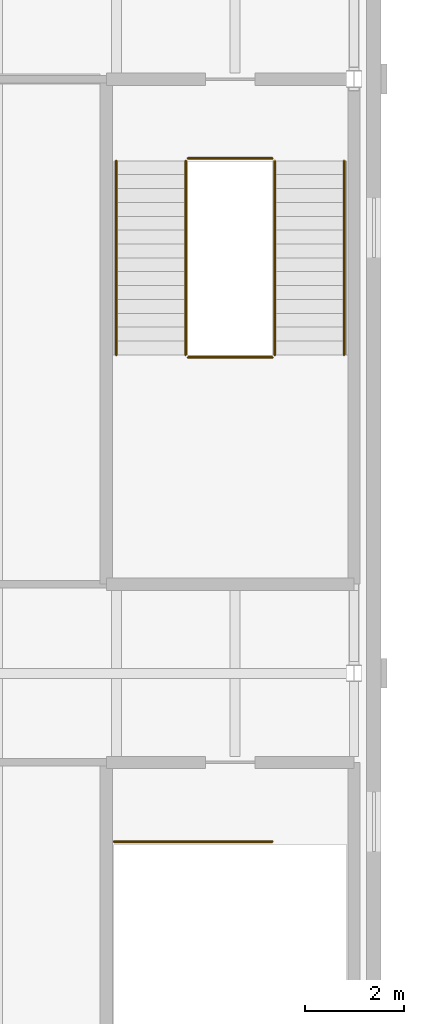
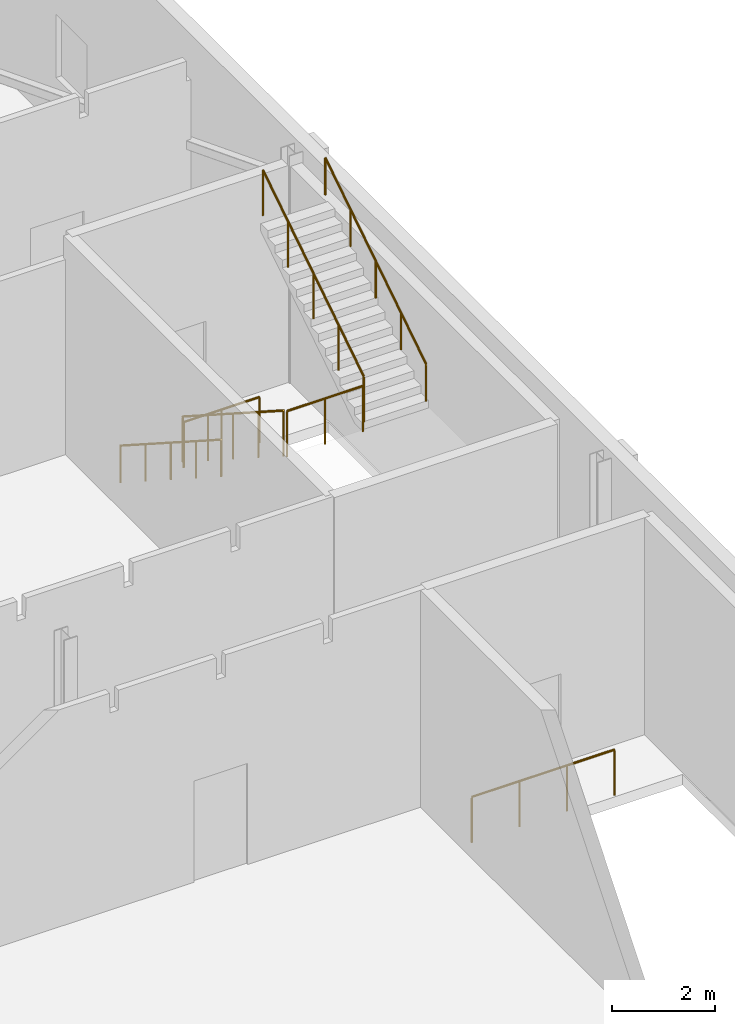
# One storey, part 320 of 321: 7 railings.
"""IFC4 building model written with IfcOpenShell, lengths in metres."""

from ifc_helpers import new_model, si_unit, direction, frame, origin, origin_2d, place, context, subcontext, project, spatial, circle, extrude, material, type_object, element, save


model = new_model("IFC4")

# Units and contexts
model_context = context("Model", 3, precision=1e-05, world=origin(), true_north=direction((0.0, 1.0)))
body_context = subcontext(model_context, "Body", "Model", "MODEL_VIEW")
ifc_project = project(units=[si_unit("LENGTHUNIT", "METRE"), si_unit("AREAUNIT", "SQUARE_METRE"), si_unit("VOLUMEUNIT", "CUBIC_METRE"), si_unit("PLANEANGLEUNIT", "RADIAN"), si_unit("MASSUNIT", "GRAM", prefix="KILO")], contexts=[model_context])

# Site, building, storey
site_placement = place(None, origin())
site = spatial("IfcSite", under=ifc_project, at=site_placement, CompositionType="ELEMENT")
building_placement = place(site_placement, origin())
building = spatial("IfcBuilding", under=site, at=building_placement, Name="Ravi Spectrum Wholesale Market", CompositionType="ELEMENT")
storey_placement = place(building_placement, frame((0.0, 0.0, 10.800048828125)))
storey = spatial("IfcBuildingStorey", under=building, at=storey_placement, Name="L02", CompositionType="ELEMENT", Elevation=10.800048828125)

# Railings
ifc_material_1 = material(Name="Steel S355", Category="steel")
railing_type_1 = type_object("IfcRailingType", Name="Guard 1100", PredefinedType="GUARDRAIL", material=ifc_material_1)
railing_1_placement = place(storey_placement, frame((278.60009765625, 40.35009765625, 0.179931640625)))
element("IfcRailing", 1, at=railing_1_placement, inside=storey, type_object=railing_type_1, Name="L02 S-CS-2 stair guard 1", PredefinedType="GUARDRAIL", context=body_context, shape_type="SweptSolid", body=[
    extrude(circle(Radius=0.02392578125, at=origin_2d()), frame((0.0, 0.0, 1.076171875), z_axis=(0.0, -0.841186985886, 0.540744352514), x_axis=(1.0, 0.0, 0.0)), (0.0, 0.0, 1.0), 4.660400390625),
    extrude(circle(Radius=0.02099609375, at=origin_2d()), origin(), (0.0, 0.0, 1.0), 1.052001953125),
    extrude(circle(Radius=0.02099609375, at=origin_2d()), frame((0.0, -0.97998046875, 0.6298828125)), (0.0, 0.0, 1.0), 1.052001953125),
    extrude(circle(Radius=0.02099609375, at=origin_2d()), frame((0.0, -1.9599609375, 1.260009765625)), (0.0, 0.0, 1.0), 1.052001953125),
    extrude(circle(Radius=0.02099609375, at=origin_2d()), frame((0.0, -2.940185546875, 1.89013671875)), (0.0, 0.0, 1.0), 1.052001953125),
    extrude(circle(Radius=0.02099609375, at=origin_2d()), frame((0.0, -3.920166015625, 2.52001953125)), (0.0, 0.0, 1.0), 1.052001953125),
])
railing_2_placement = place(storey_placement, frame((278.64990234375, 36.3798828125, 2.699951171875)))
element("IfcRailing", 2, at=railing_2_placement, inside=storey, type_object=railing_type_1, Name="L02 S-CS-2 stair guard 2", PredefinedType="GUARDRAIL", context=body_context, shape_type="SweptSolid", body=[
    extrude(circle(Radius=0.02392578125, at=origin_2d()), frame((0.0, 0.0, 1.076171875), z_axis=(1.0, 0.0, 0.0), x_axis=(0.0, 1.0, 0.0)), (0.0, 0.0, 1.0), 1.7001953125),
    extrude(circle(Radius=0.02099609375, at=origin_2d()), origin(), (0.0, 0.0, 1.0), 1.052001953125),
    extrude(circle(Radius=0.02099609375, at=origin_2d()), frame((0.85009765625, 0.0, 0.0)), (0.0, 0.0, 1.0), 1.052001953125),
    extrude(circle(Radius=0.02099609375, at=origin_2d()), frame((1.7001953125, 0.0, 0.0)), (0.0, 0.0, 1.0), 1.052001953125),
])
railing_3_placement = place(storey_placement, frame((280.39990234375, 36.429931640625, 2.8798828125)))
element("IfcRailing", 3, at=railing_3_placement, inside=storey, type_object=railing_type_1, Name="L02 S-CS-2 stair guard 3", PredefinedType="GUARDRAIL", context=body_context, shape_type="SweptSolid", body=[
    extrude(circle(Radius=0.02392578125, at=origin_2d()), frame((0.0, 0.0, 1.076171875), z_axis=(0.0, 0.841186985886, 0.540744352514), x_axis=(-1.0, 0.0, 0.0)), (0.0, 0.0, 1.0), 4.660400390625),
    extrude(circle(Radius=0.02099609375, at=origin_2d()), origin(), (0.0, 0.0, 1.0), 1.052001953125),
    extrude(circle(Radius=0.02099609375, at=origin_2d()), frame((0.0, 0.97998046875, 0.6298828125)), (0.0, 0.0, 1.0), 1.052001953125),
    extrude(circle(Radius=0.02099609375, at=origin_2d()), frame((0.0, 1.9599609375, 1.260009765625)), (0.0, 0.0, 1.0), 1.052001953125),
    extrude(circle(Radius=0.02099609375, at=origin_2d()), frame((0.0, 2.940185546875, 1.89013671875)), (0.0, 0.0, 1.0), 1.052001953125),
    extrude(circle(Radius=0.02099609375, at=origin_2d()), frame((0.0, 3.920166015625, 2.52001953125)), (0.0, 0.0, 1.0), 1.052001953125),
])
railing_4_placement = place(storey_placement, frame((278.64990234375, 40.39990234375, 0.0)))
element("IfcRailing", 4, at=railing_4_placement, inside=storey, type_object=railing_type_1, Name="L02 S-CS-2 stair guard 4", PredefinedType="GUARDRAIL", context=body_context, shape_type="SweptSolid", body=[
    extrude(circle(Radius=0.02392578125, at=origin_2d()), frame((0.0, 0.0, 1.076171875), z_axis=(1.0, 0.0, 0.0), x_axis=(0.0, 1.0, 0.0)), (0.0, 0.0, 1.0), 1.7001953125),
    extrude(circle(Radius=0.02099609375, at=origin_2d()), origin(), (0.0, 0.0, 1.0), 1.052001953125),
    extrude(circle(Radius=0.02099609375, at=origin_2d()), frame((0.85009765625, 0.0, 0.0)), (0.0, 0.0, 1.0), 1.052001953125),
    extrude(circle(Radius=0.02099609375, at=origin_2d()), frame((1.7001953125, 0.0, 0.0)), (0.0, 0.0, 1.0), 1.052001953125),
])
railing_5_placement = place(storey_placement, frame((277.14990234375, 26.60009765625, 0.0)))
element("IfcRailing", 5, at=railing_5_placement, inside=storey, type_object=railing_type_1, Name="L02 S-CS-7 top well guard 1", PredefinedType="GUARDRAIL", context=body_context, shape_type="SweptSolid", body=[
    extrude(circle(Radius=0.02392578125, at=origin_2d()), frame((0.0, 0.0, 1.076171875), z_axis=(1.0, 0.0, 0.0), x_axis=(0.0, 1.0, 0.0)), (0.0, 0.0, 1.0), 3.2001953125),
    extrude(circle(Radius=0.02099609375, at=origin_2d()), origin(), (0.0, 0.0, 1.0), 1.052001953125),
    extrude(circle(Radius=0.02099609375, at=origin_2d()), frame((1.066650390625, 0.0, 0.0)), (0.0, 0.0, 1.0), 1.052001953125),
    extrude(circle(Radius=0.02099609375, at=origin_2d()), frame((2.133544921875, 0.0, 0.0)), (0.0, 0.0, 1.0), 1.052001953125),
    extrude(circle(Radius=0.02099609375, at=origin_2d()), frame((3.2001953125, 0.0, 0.0)), (0.0, 0.0, 1.0), 1.052001953125),
])
ifc_material_2 = material(Name="Stainless steel", Category="steel")
railing_type_2 = type_object("IfcRailingType", Name="Handrail 900", PredefinedType="HANDRAIL", material=ifc_material_2)
railing_6_placement = place(storey_placement, frame((277.199951171875, 40.35009765625, 0.179931640625)))
element("IfcRailing", 6, at=railing_6_placement, inside=storey, type_object=railing_type_2, Name="L02 S-CS-2 stair handrail 1", PredefinedType="HANDRAIL", context=body_context, shape_type="SweptSolid", body=[
    extrude(circle(Radius=0.02392578125, at=origin_2d()), frame((0.0, 0.0, 0.8759765625), z_axis=(0.0, -0.841186985886, 0.540744352514), x_axis=(1.0, 0.0, 0.0)), (0.0, 0.0, 1.0), 4.660400390625),
    extrude(circle(Radius=0.02099609375, at=origin_2d()), origin(), (0.0, 0.0, 1.0), 0.851806640625),
    extrude(circle(Radius=0.02099609375, at=origin_2d()), frame((0.0, -0.97998046875, 0.6298828125)), (0.0, 0.0, 1.0), 0.851806640625),
    extrude(circle(Radius=0.02099609375, at=origin_2d()), frame((0.0, -1.9599609375, 1.260009765625)), (0.0, 0.0, 1.0), 0.851806640625),
    extrude(circle(Radius=0.02099609375, at=origin_2d()), frame((0.0, -2.940185546875, 1.89013671875)), (0.0, 0.0, 1.0), 0.851806640625),
    extrude(circle(Radius=0.02099609375, at=origin_2d()), frame((0.0, -3.920166015625, 2.52001953125)), (0.0, 0.0, 1.0), 0.851806640625),
])
railing_7_placement = place(storey_placement, frame((281.800048828125, 36.429931640625, 2.8798828125)))
element("IfcRailing", 7, at=railing_7_placement, inside=storey, type_object=railing_type_2, Name="L02 S-CS-2 stair handrail 2", PredefinedType="HANDRAIL", context=body_context, shape_type="SweptSolid", body=[
    extrude(circle(Radius=0.02392578125, at=origin_2d()), frame((0.0, 0.0, 0.8759765625), z_axis=(0.0, 0.841186985886, 0.540744352514), x_axis=(-1.0, 0.0, 0.0)), (0.0, 0.0, 1.0), 4.660400390625),
    extrude(circle(Radius=0.02099609375, at=origin_2d()), origin(), (0.0, 0.0, 1.0), 0.851806640625),
    extrude(circle(Radius=0.02099609375, at=origin_2d()), frame((0.0, 0.97998046875, 0.6298828125)), (0.0, 0.0, 1.0), 0.851806640625),
    extrude(circle(Radius=0.02099609375, at=origin_2d()), frame((0.0, 1.9599609375, 1.260009765625)), (0.0, 0.0, 1.0), 0.851806640625),
    extrude(circle(Radius=0.02099609375, at=origin_2d()), frame((0.0, 2.940185546875, 1.89013671875)), (0.0, 0.0, 1.0), 0.851806640625),
    extrude(circle(Radius=0.02099609375, at=origin_2d()), frame((0.0, 3.920166015625, 2.52001953125)), (0.0, 0.0, 1.0), 0.851806640625),
])

save(model, "model.ifc")
